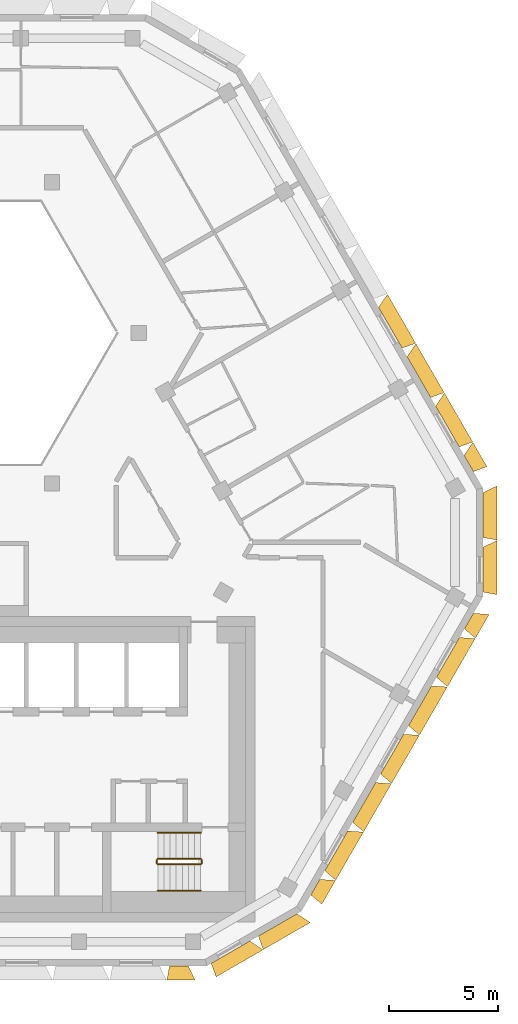
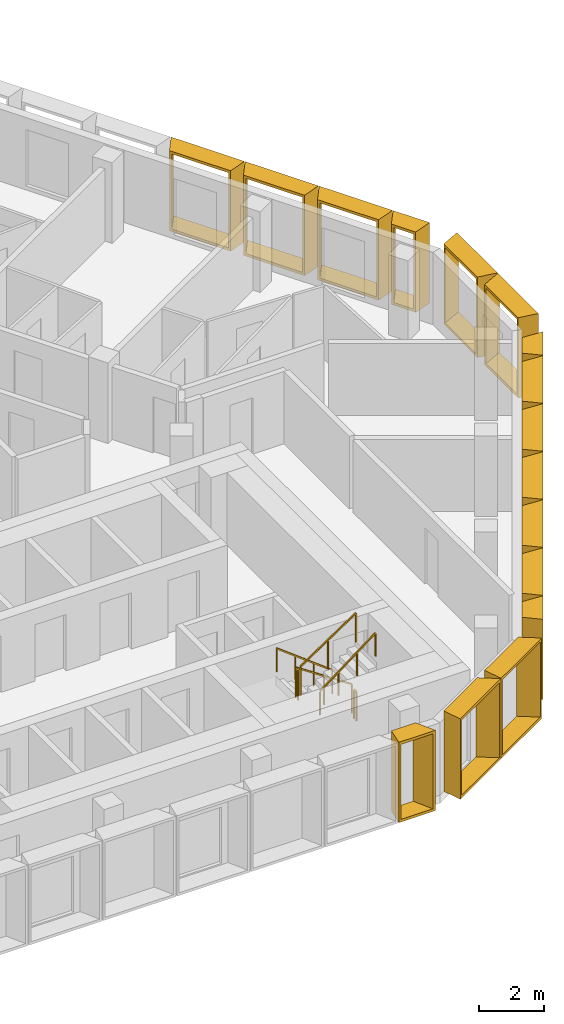
# One storey, part 13 of 14: 16 shading devices, 6 railings.
"""IFC4 building model written with IfcOpenShell, lengths in metres."""

from ifc_helpers import new_model, entity, si_unit, direction, frame, origin, origin_2d, place, context, subcontext, project, spatial, rectangle, extrude, source, transform, mapped, material, type_object, type_shapes, element, save


model = new_model("IFC4")

# Units and contexts
model_context = context("Model", 3, precision=1e-05, world=origin(), true_north=direction((0.0, 1.0)))
body_context = subcontext(model_context, "Body", "Model", "MODEL_VIEW")
ifc_project = project(units=[si_unit("LENGTHUNIT", "METRE"), si_unit("AREAUNIT", "SQUARE_METRE"), si_unit("VOLUMEUNIT", "CUBIC_METRE"), si_unit("PLANEANGLEUNIT", "RADIAN"), si_unit("MASSUNIT", "GRAM", prefix="KILO")], contexts=[model_context])

# Site, building, storey
site_placement = place(None, origin())
site = spatial("IfcSite", under=ifc_project, at=site_placement, CompositionType="ELEMENT")
building_placement = place(site_placement, origin())
building = spatial("IfcBuilding", under=site, at=building_placement, Name="Beryl Residences", CompositionType="ELEMENT")
storey_placement = place(building_placement, frame((0.0, 0.0, 229.800048828125)))
storey = spatial("IfcBuildingStorey", under=building, at=storey_placement, Name="L71", CompositionType="ELEMENT", Elevation=229.800048828125)

# Shading devices
ifc_material_1 = material(Name="Aluminium pale anodised", Category="aluminium")
shading_device_type_1 = type_object("IfcShadingDeviceType", Name="FR128-65C OUTER SKIN frame 650 mm deep, splay 10/26 deg, 1280 x 3000 mm cell", PredefinedType="USERDEFINED", material=ifc_material_1)
cartesian_point_1 = entity("IfcCartesianPoint", [-0.4140625, 0.0])
cartesian_point_2 = entity("IfcCartesianPoint", [-0.332763671875, 0.10009765625])
cartesian_point_3 = entity("IfcCartesianPoint", [-0.528564453125, 0.0])
cartesian_point_4 = entity("IfcCartesianPoint", [-0.447265625, 0.10009765625])
shared_shape_1 = source(origin(), body_context, "Body", "SweptSolid", [
    entity("IfcExtrudedAreaSolidTapered", entity("IfcArbitraryProfileDefWithVoids", "AREA", None, entity("IfcPolyline", [cartesian_point_1, entity("IfcCartesianPoint", [0.4140625, 0.0]), entity("IfcCartesianPoint", [0.4140625, 3.0]), entity("IfcCartesianPoint", [-0.4140625, 3.0]), cartesian_point_1]), [entity("IfcPolyline", [cartesian_point_2, entity("IfcCartesianPoint", [0.324951171875, 0.10009765625]), entity("IfcCartesianPoint", [0.324951171875, 2.89990234375]), entity("IfcCartesianPoint", [-0.332763671875, 2.89990234375]), cartesian_point_2])]), entity("IfcAxis2Placement3D", entity("IfcCartesianPoint", [0.0, 0.0, 0.0]), entity("IfcDirection", [0.0, 1.0, 0.0]), entity("IfcDirection", [-1.0, 0.0, 0.0])), entity("IfcDirection", [0.0, 0.0, 1.0]), 0.64990234375, entity("IfcArbitraryProfileDefWithVoids", "AREA", None, entity("IfcPolyline", [cartesian_point_3, entity("IfcCartesianPoint", [0.73095703125, 0.0]), entity("IfcCartesianPoint", [0.73095703125, 3.0]), entity("IfcCartesianPoint", [-0.528564453125, 3.0]), cartesian_point_3]), [entity("IfcPolyline", [cartesian_point_4, entity("IfcCartesianPoint", [0.64208984375, 0.10009765625]), entity("IfcCartesianPoint", [0.64208984375, 2.89990234375]), entity("IfcCartesianPoint", [-0.447265625, 2.89990234375]), cartesian_point_4])])),
])
type_shapes(shading_device_type_1, [shared_shape_1])
for number, where, z_axis, x_axis, name in (
    (1, (16.052978515625, -17.39599609375, 0.0), (0.0, 0.0, 1.0), (-0.5, -0.866025403784, 0.0), "FR128-65C frame L71 SE 1"),
    (2, (23.091064453125, -5.205078125, 0.0), (0.0, 0.0, 1.0), (-0.5, -0.866025403784, 0.0), "FR128-65C frame L71 SE 7"),
):
    element("IfcShadingDevice", number, at=place(storey_placement, frame(where, z_axis=z_axis, x_axis=x_axis)), inside=storey, type_object=shading_device_type_1, Name=name, ObjectType="OUTER SKIN", PredefinedType="USERDEFINED", context=body_context, shape_type="MappedRepresentation", body=[
        mapped(shared_shape_1, transform((0.0, 0.0, 0.0))),
    ])
ifc_material_2 = material(Name="Aluminium pale anodised", Category="aluminium")
shading_device_type_2 = type_object("IfcShadingDeviceType", Name="FR131-65C OUTER SKIN frame 650 mm deep, splay 10/26 deg, 1310 x 3000 mm cell", PredefinedType="USERDEFINED", material=ifc_material_2)
cartesian_point_5 = entity("IfcCartesianPoint", [-0.428955078125, 0.0])
cartesian_point_6 = entity("IfcCartesianPoint", [-0.34765625, 0.10009765625])
cartesian_point_7 = entity("IfcCartesianPoint", [-0.543701171875, 0.0])
cartesian_point_8 = entity("IfcCartesianPoint", [-0.46240234375, 0.10009765625])
shared_shape_2 = source(origin(), body_context, "Body", "SweptSolid", [
    entity("IfcExtrudedAreaSolidTapered", entity("IfcArbitraryProfileDefWithVoids", "AREA", None, entity("IfcPolyline", [cartesian_point_5, entity("IfcCartesianPoint", [0.428955078125, 0.0]), entity("IfcCartesianPoint", [0.428955078125, 3.0]), entity("IfcCartesianPoint", [-0.428955078125, 3.0]), cartesian_point_5]), [entity("IfcPolyline", [cartesian_point_6, entity("IfcCartesianPoint", [0.340087890625, 0.10009765625]), entity("IfcCartesianPoint", [0.340087890625, 2.89990234375]), entity("IfcCartesianPoint", [-0.34765625, 2.89990234375]), cartesian_point_6])]), entity("IfcAxis2Placement3D", entity("IfcCartesianPoint", [0.0, 0.0, 0.0]), entity("IfcDirection", [0.0, 1.0, 0.0]), entity("IfcDirection", [-1.0, 0.0, 0.0])), entity("IfcDirection", [0.0, 0.0, 1.0]), 0.64990234375, entity("IfcArbitraryProfileDefWithVoids", "AREA", None, entity("IfcPolyline", [cartesian_point_7, entity("IfcCartesianPoint", [0.74609375, 0.0]), entity("IfcCartesianPoint", [0.74609375, 3.0]), entity("IfcCartesianPoint", [-0.543701171875, 3.0]), cartesian_point_7]), [entity("IfcPolyline", [cartesian_point_8, entity("IfcCartesianPoint", [0.656982421875, 0.10009765625]), entity("IfcCartesianPoint", [0.656982421875, 2.89990234375]), entity("IfcCartesianPoint", [-0.46240234375, 2.89990234375]), cartesian_point_8])])),
])
type_shapes(shading_device_type_2, [shared_shape_2])
for number, where, z_axis, x_axis, name in (
    (3, (9.797119140625, -21.0, 0.0), (0.0, 0.0, 1.0), (-1.0, 0.0, 0.0), "FR131-65C frame L71 S 9"),
    (4, (23.083984375, 2.01611328125, 0.0), (0.0, 0.0, 1.0), (0.5, -0.866025403784, 0.0), "FR131-65C frame L71 NE 1"),
):
    element("IfcShadingDevice", number, at=place(storey_placement, frame(where, z_axis=z_axis, x_axis=x_axis)), inside=storey, type_object=shading_device_type_2, Name=name, ObjectType="OUTER SKIN", PredefinedType="USERDEFINED", context=body_context, shape_type="MappedRepresentation", body=[
        mapped(shared_shape_2, transform((0.0, 0.0, 0.0))),
    ])
ifc_material_3 = material(Name="Aluminium pale anodised", Category="aluminium")
shading_device_type_3 = type_object("IfcShadingDeviceType", Name="FR250-65C OUTER SKIN frame 650 mm deep, splay 10/26 deg, 2500 x 3000 mm cell", PredefinedType="USERDEFINED", material=ifc_material_3)
cartesian_point_9 = entity("IfcCartesianPoint", [-1.02392578125, 0.0])
cartesian_point_10 = entity("IfcCartesianPoint", [-0.94287109375, 0.10009765625])
cartesian_point_11 = entity("IfcCartesianPoint", [-1.138671875, 0.0])
cartesian_point_12 = entity("IfcCartesianPoint", [-1.057373046875, 0.10009765625])
shared_shape_3 = source(origin(), body_context, "Body", "SweptSolid", [
    entity("IfcExtrudedAreaSolidTapered", entity("IfcArbitraryProfileDefWithVoids", "AREA", None, entity("IfcPolyline", [cartesian_point_9, entity("IfcCartesianPoint", [1.02392578125, 0.0]), entity("IfcCartesianPoint", [1.02392578125, 3.0]), entity("IfcCartesianPoint", [-1.02392578125, 3.0]), cartesian_point_9]), [entity("IfcPolyline", [cartesian_point_10, entity("IfcCartesianPoint", [0.93505859375, 0.10009765625]), entity("IfcCartesianPoint", [0.93505859375, 2.89990234375]), entity("IfcCartesianPoint", [-0.94287109375, 2.89990234375]), cartesian_point_10])]), entity("IfcAxis2Placement3D", entity("IfcCartesianPoint", [0.0, 0.0, 0.0]), entity("IfcDirection", [0.0, 1.0, 0.0]), entity("IfcDirection", [-1.0, 0.0, 0.0])), entity("IfcDirection", [0.0, 0.0, 1.0]), 0.64990234375, entity("IfcArbitraryProfileDefWithVoids", "AREA", None, entity("IfcPolyline", [cartesian_point_11, entity("IfcCartesianPoint", [1.341064453125, 0.0]), entity("IfcCartesianPoint", [1.341064453125, 3.0]), entity("IfcCartesianPoint", [-1.138671875, 3.0]), cartesian_point_11]), [entity("IfcPolyline", [cartesian_point_12, entity("IfcCartesianPoint", [1.251953125, 0.10009765625]), entity("IfcCartesianPoint", [1.251953125, 2.89990234375]), entity("IfcCartesianPoint", [-1.057373046875, 2.89990234375]), cartesian_point_12])])),
])
type_shapes(shading_device_type_3, [shared_shape_3])
for number, where, z_axis, x_axis, name in (
    (5, (12.16796875, -20.375, 0.0), (0.0, 0.0, 1.0), (-0.866025403784, -0.5, 0.0), "FR250-65C frame L71 S-SE 1"),
    (6, (14.33203125, -19.125, 0.0), (0.0, 0.0, 1.0), (-0.866025403784, -0.5, 0.0), "FR250-65C frame L71 S-SE 2"),
    (7, (23.72900390625, -2.85009765625, 0.0), (0.0, 0.0, 1.0), (0.0, -1.0, 0.0), "FR250-65C frame L71 SE-NE 1"),
    (8, (23.72900390625, -0.35009765625, 0.0), (0.0, 0.0, 1.0), (0.0, -1.0, 0.0), "FR250-65C frame L71 SE-NE 2"),
):
    element("IfcShadingDevice", number, at=place(storey_placement, frame(where, z_axis=z_axis, x_axis=x_axis)), inside=storey, type_object=shading_device_type_3, Name=name, ObjectType="OUTER SKIN", PredefinedType="USERDEFINED", context=body_context, shape_type="MappedRepresentation", body=[
        mapped(shared_shape_3, transform((0.0, 0.0, 0.0))),
    ])
ifc_material_4 = material(Name="Aluminium pale anodised", Category="aluminium")
shading_device_type_4 = type_object("IfcShadingDeviceType", Name="FR256-65C OUTER SKIN frame 650 mm deep, splay 10/26 deg, 2560 x 3000 mm cell", PredefinedType="USERDEFINED", material=ifc_material_4)
cartesian_point_13 = entity("IfcCartesianPoint", [-1.053955078125, 0.0])
cartesian_point_14 = entity("IfcCartesianPoint", [-0.97265625, 0.10009765625])
cartesian_point_15 = entity("IfcCartesianPoint", [-1.168701171875, 0.0])
cartesian_point_16 = entity("IfcCartesianPoint", [-1.08740234375, 0.10009765625])
shared_shape_4 = source(origin(), body_context, "Body", "SweptSolid", [
    entity("IfcExtrudedAreaSolidTapered", entity("IfcArbitraryProfileDefWithVoids", "AREA", None, entity("IfcPolyline", [cartesian_point_13, entity("IfcCartesianPoint", [1.053955078125, 0.0]), entity("IfcCartesianPoint", [1.053955078125, 3.0]), entity("IfcCartesianPoint", [-1.053955078125, 3.0]), cartesian_point_13]), [entity("IfcPolyline", [cartesian_point_14, entity("IfcCartesianPoint", [0.965087890625, 0.10009765625]), entity("IfcCartesianPoint", [0.965087890625, 2.89990234375]), entity("IfcCartesianPoint", [-0.97265625, 2.89990234375]), cartesian_point_14])]), entity("IfcAxis2Placement3D", entity("IfcCartesianPoint", [0.0, 0.0, 0.0]), entity("IfcDirection", [0.0, 1.0, 0.0]), entity("IfcDirection", [-1.0, 0.0, 0.0])), entity("IfcDirection", [0.0, 0.0, 1.0]), 0.64990234375, entity("IfcArbitraryProfileDefWithVoids", "AREA", None, entity("IfcPolyline", [cartesian_point_15, entity("IfcCartesianPoint", [1.37109375, 0.0]), entity("IfcCartesianPoint", [1.37109375, 3.0]), entity("IfcCartesianPoint", [-1.168701171875, 3.0]), cartesian_point_15]), [entity("IfcPolyline", [cartesian_point_16, entity("IfcCartesianPoint", [1.281982421875, 0.10009765625]), entity("IfcCartesianPoint", [1.281982421875, 2.89990234375]), entity("IfcCartesianPoint", [-1.08740234375, 2.89990234375]), cartesian_point_16])])),
])
type_shapes(shading_device_type_4, [shared_shape_4])
for number, where, z_axis, x_axis, name in (
    (9, (17.011962890625, -15.73388671875, 0.0), (0.0, 0.0, 1.0), (-0.5, -0.866025403784, 0.0), "FR256-65C frame L71 SE 2"),
    (10, (18.2919921875, -13.51708984375, 0.0), (0.0, 0.0, 1.0), (-0.5, -0.866025403784, 0.0), "FR256-65C frame L71 SE 3"),
    (11, (19.572021484375, -11.300048828125, 0.0), (0.0, 0.0, 1.0), (-0.5, -0.866025403784, 0.0), "FR256-65C frame L71 SE 4"),
    (12, (20.85107421875, -9.083984375, 0.0), (0.0, 0.0, 1.0), (-0.5, -0.866025403784, 0.0), "FR256-65C frame L71 SE 5"),
    (13, (22.131103515625, -6.866943359375, 0.0), (0.0, 0.0, 1.0), (-0.5, -0.866025403784, 0.0), "FR256-65C frame L71 SE 6"),
):
    element("IfcShadingDevice", number, at=place(storey_placement, frame(where, z_axis=z_axis, x_axis=x_axis)), inside=storey, type_object=shading_device_type_4, Name=name, ObjectType="OUTER SKIN", PredefinedType="USERDEFINED", context=body_context, shape_type="MappedRepresentation", body=[
        mapped(shared_shape_4, transform((0.0, 0.0, 0.0))),
    ])
ifc_material_5 = material(Name="Aluminium pale anodised", Category="aluminium")
shading_device_type_5 = type_object("IfcShadingDeviceType", Name="FR261-65C OUTER SKIN frame 650 mm deep, splay 10/26 deg, 2610 x 3000 mm cell", PredefinedType="USERDEFINED", material=ifc_material_5)
cartesian_point_17 = entity("IfcCartesianPoint", [-1.0791015625, 0.0])
cartesian_point_18 = entity("IfcCartesianPoint", [-0.997802734375, 0.10009765625])
cartesian_point_19 = entity("IfcCartesianPoint", [-1.193603515625, 0.0])
cartesian_point_20 = entity("IfcCartesianPoint", [-1.1123046875, 0.10009765625])
shared_shape_5 = source(origin(), body_context, "Body", "SweptSolid", [
    entity("IfcExtrudedAreaSolidTapered", entity("IfcArbitraryProfileDefWithVoids", "AREA", None, entity("IfcPolyline", [cartesian_point_17, entity("IfcCartesianPoint", [1.0791015625, 0.0]), entity("IfcCartesianPoint", [1.0791015625, 3.0]), entity("IfcCartesianPoint", [-1.0791015625, 3.0]), cartesian_point_17]), [entity("IfcPolyline", [cartesian_point_18, entity("IfcCartesianPoint", [0.989990234375, 0.10009765625]), entity("IfcCartesianPoint", [0.989990234375, 2.89990234375]), entity("IfcCartesianPoint", [-0.997802734375, 2.89990234375]), cartesian_point_18])]), entity("IfcAxis2Placement3D", entity("IfcCartesianPoint", [0.0, 0.0, 0.0]), entity("IfcDirection", [0.0, 1.0, 0.0]), entity("IfcDirection", [-1.0, 0.0, 0.0])), entity("IfcDirection", [0.0, 0.0, 1.0]), 0.64990234375, entity("IfcArbitraryProfileDefWithVoids", "AREA", None, entity("IfcPolyline", [cartesian_point_19, entity("IfcCartesianPoint", [1.39599609375, 0.0]), entity("IfcCartesianPoint", [1.39599609375, 3.0]), entity("IfcCartesianPoint", [-1.193603515625, 3.0]), cartesian_point_19]), [entity("IfcPolyline", [cartesian_point_20, entity("IfcCartesianPoint", [1.30712890625, 0.10009765625]), entity("IfcCartesianPoint", [1.30712890625, 2.89990234375]), entity("IfcCartesianPoint", [-1.1123046875, 2.89990234375]), cartesian_point_20])])),
])
type_shapes(shading_device_type_5, [shared_shape_5])
for number, where, z_axis, x_axis, name in (
    (14, (22.10498046875, 3.7119140625, 0.0), (0.0, 0.0, 1.0), (0.5, -0.866025403784, 0.0), "FR261-65C frame L71 NE 2"),
    (15, (20.798095703125, 5.97509765625, 0.0), (0.0, 0.0, 1.0), (0.5, -0.866025403784, 0.0), "FR261-65C frame L71 NE 3"),
    (16, (19.491943359375, 8.237060546875, 0.0), (0.0, 0.0, 1.0), (0.5, -0.866025403784, 0.0), "FR261-65C frame L71 NE 4"),
):
    element("IfcShadingDevice", number, at=place(storey_placement, frame(where, z_axis=z_axis, x_axis=x_axis)), inside=storey, type_object=shading_device_type_5, Name=name, ObjectType="OUTER SKIN", PredefinedType="USERDEFINED", context=body_context, shape_type="MappedRepresentation", body=[
        mapped(shared_shape_5, transform((0.0, 0.0, 0.0))),
    ])

# Railings
ifc_material_6 = material(Name="Stainless steel balustrade with glass infill", Category="steel")
railing_type_1 = type_object("IfcRailingType", Name="SG1 stair guard 1100 mm", PredefinedType="GUARDRAIL", material=ifc_material_6)
railing_1_placement = place(storey_placement, frame((10.800048828125, -16.10009765625, 0.1875)))
element("IfcRailing", 17, at=railing_1_placement, inside=storey, type_object=railing_type_1, Name="L71 ST-3 stair guard 1", PredefinedType="GUARDRAIL", context=body_context, shape_type="SweptSolid", body=[
    extrude(rectangle(XDim=0.048095703125, YDim=0.048095703125, at=origin_2d()), frame((0.0, 0.0, 1.076171875), z_axis=(-0.830902050051, 0.0, 0.556418712142), x_axis=(0.0, -1.0, 0.0)), (0.0, 0.0, 1.0), 2.35888671875),
    extrude(rectangle(XDim=0.0419921875, YDim=0.0419921875, at=origin_2d()), origin(), (0.0, 0.0, 1.0), 1.052001953125),
    extrude(rectangle(XDim=0.0419921875, YDim=0.0419921875, at=origin_2d()), frame((-0.97998046875, 0.0, 0.65625)), (0.0, 0.0, 1.0), 1.052001953125),
    extrude(rectangle(XDim=0.0419921875, YDim=0.0419921875, at=origin_2d()), frame((-1.9599609375, 0.0, 1.3125)), (0.0, 0.0, 1.0), 1.052001953125),
])
railing_2_placement = place(storey_placement, frame((8.7900390625, -16.14990234375, 1.5)))
element("IfcRailing", 18, at=railing_2_placement, inside=storey, type_object=railing_type_1, Name="L71 ST-3 stair guard 2", PredefinedType="GUARDRAIL", context=body_context, shape_type="SweptSolid", body=[
    extrude(rectangle(XDim=0.048095703125, YDim=0.048095703125, at=origin_2d()), frame((0.0, 0.0, 1.076171875), z_axis=(0.0, -1.0, 0.0), x_axis=(1.0, 0.0, 0.0)), (0.0, 0.0, 1.0), 0.150146484375),
    extrude(rectangle(XDim=0.0419921875, YDim=0.0419921875, at=origin_2d()), origin(), (0.0, 0.0, 1.0), 1.052001953125),
    extrude(rectangle(XDim=0.0419921875, YDim=0.0419921875, at=origin_2d()), frame((0.0, -0.150146484375, 0.0)), (0.0, 0.0, 1.0), 1.052001953125),
])
railing_3_placement = place(storey_placement, frame((8.840087890625, -16.35009765625, 1.6875)))
element("IfcRailing", 19, at=railing_3_placement, inside=storey, type_object=railing_type_1, Name="L71 ST-3 stair guard 3", PredefinedType="GUARDRAIL", context=body_context, shape_type="SweptSolid", body=[
    extrude(rectangle(XDim=0.048095703125, YDim=0.048095703125, at=origin_2d()), frame((0.0, 0.0, 1.076171875), z_axis=(0.830902050051, 0.0, 0.556418712142), x_axis=(0.0, 1.0, 0.0)), (0.0, 0.0, 1.0), 2.35888671875),
    extrude(rectangle(XDim=0.0419921875, YDim=0.0419921875, at=origin_2d()), origin(), (0.0, 0.0, 1.0), 1.052001953125),
    extrude(rectangle(XDim=0.0419921875, YDim=0.0419921875, at=origin_2d()), frame((0.97998046875, 0.0, 0.65625)), (0.0, 0.0, 1.0), 1.052001953125),
    extrude(rectangle(XDim=0.0419921875, YDim=0.0419921875, at=origin_2d()), frame((1.9599609375, 0.0, 1.3125)), (0.0, 0.0, 1.0), 1.052001953125),
])
railing_4_placement = place(storey_placement, frame((10.85009765625, -16.14990234375, 0.0)))
element("IfcRailing", 20, at=railing_4_placement, inside=storey, type_object=railing_type_1, Name="L71 ST-3 stair guard 4", PredefinedType="GUARDRAIL", context=body_context, shape_type="SweptSolid", body=[
    extrude(rectangle(XDim=0.048095703125, YDim=0.048095703125, at=origin_2d()), frame((0.0, 0.0, 1.076171875), z_axis=(0.0, -1.0, 0.0), x_axis=(1.0, 0.0, 0.0)), (0.0, 0.0, 1.0), 0.150146484375),
    extrude(rectangle(XDim=0.0419921875, YDim=0.0419921875, at=origin_2d()), origin(), (0.0, 0.0, 1.0), 1.052001953125),
    extrude(rectangle(XDim=0.0419921875, YDim=0.0419921875, at=origin_2d()), frame((0.0, -0.150146484375, 0.0)), (0.0, 0.0, 1.0), 1.052001953125),
])
ifc_material_7 = material(Name="Stainless steel handrail", Category="steel")
railing_type_2 = type_object("IfcRailingType", Name="SRL1 stair handrail 900 mm", PredefinedType="HANDRAIL", material=ifc_material_7)
railing_5_placement = place(storey_placement, frame((10.800048828125, -14.89990234375, 0.1875)))
element("IfcRailing", 21, at=railing_5_placement, inside=storey, type_object=railing_type_2, Name="L71 ST-3 stair handrail 1", PredefinedType="HANDRAIL", context=body_context, shape_type="SweptSolid", body=[
    extrude(rectangle(XDim=0.048095703125, YDim=0.048095703125, at=origin_2d()), frame((0.0, 0.0, 0.8759765625), z_axis=(-0.794121922505, 0.0, 0.607758481798), x_axis=(0.0, -1.0, 0.0)), (0.0, 0.0, 1.0), 2.468017578125),
    extrude(rectangle(XDim=0.0419921875, YDim=0.0419921875, at=origin_2d()), origin(), (0.0, 0.0, 1.0), 0.851806640625),
    extrude(rectangle(XDim=0.0419921875, YDim=0.0419921875, at=origin_2d()), frame((-0.6533203125, 0.0, 0.5)), (0.0, 0.0, 1.0), 0.851806640625),
    extrude(rectangle(XDim=0.0419921875, YDim=0.0419921875, at=origin_2d()), frame((-1.306640625, 0.0, 1.0)), (0.0, 0.0, 1.0), 0.851806640625),
    extrude(rectangle(XDim=0.0419921875, YDim=0.0419921875, at=origin_2d()), frame((-1.9599609375, 0.0, 1.5)), (0.0, 0.0, 1.0), 0.851806640625),
])
railing_6_placement = place(storey_placement, frame((8.840087890625, -17.550048828125, 1.6875)))
element("IfcRailing", 22, at=railing_6_placement, inside=storey, type_object=railing_type_2, Name="L71 ST-3 stair handrail 2", PredefinedType="HANDRAIL", context=body_context, shape_type="SweptSolid", body=[
    extrude(rectangle(XDim=0.048095703125, YDim=0.048095703125, at=origin_2d()), frame((0.0, 0.0, 0.8759765625), z_axis=(0.794121922505, 0.0, 0.607758481798), x_axis=(0.0, 1.0, 0.0)), (0.0, 0.0, 1.0), 2.468017578125),
    extrude(rectangle(XDim=0.0419921875, YDim=0.0419921875, at=origin_2d()), origin(), (0.0, 0.0, 1.0), 0.851806640625),
    extrude(rectangle(XDim=0.0419921875, YDim=0.0419921875, at=origin_2d()), frame((0.6533203125, 0.0, 0.5)), (0.0, 0.0, 1.0), 0.851806640625),
    extrude(rectangle(XDim=0.0419921875, YDim=0.0419921875, at=origin_2d()), frame((1.306640625, 0.0, 1.0)), (0.0, 0.0, 1.0), 0.851806640625),
    extrude(rectangle(XDim=0.0419921875, YDim=0.0419921875, at=origin_2d()), frame((1.9599609375, 0.0, 1.5)), (0.0, 0.0, 1.0), 0.851806640625),
])

save(model, "model.ifc")
